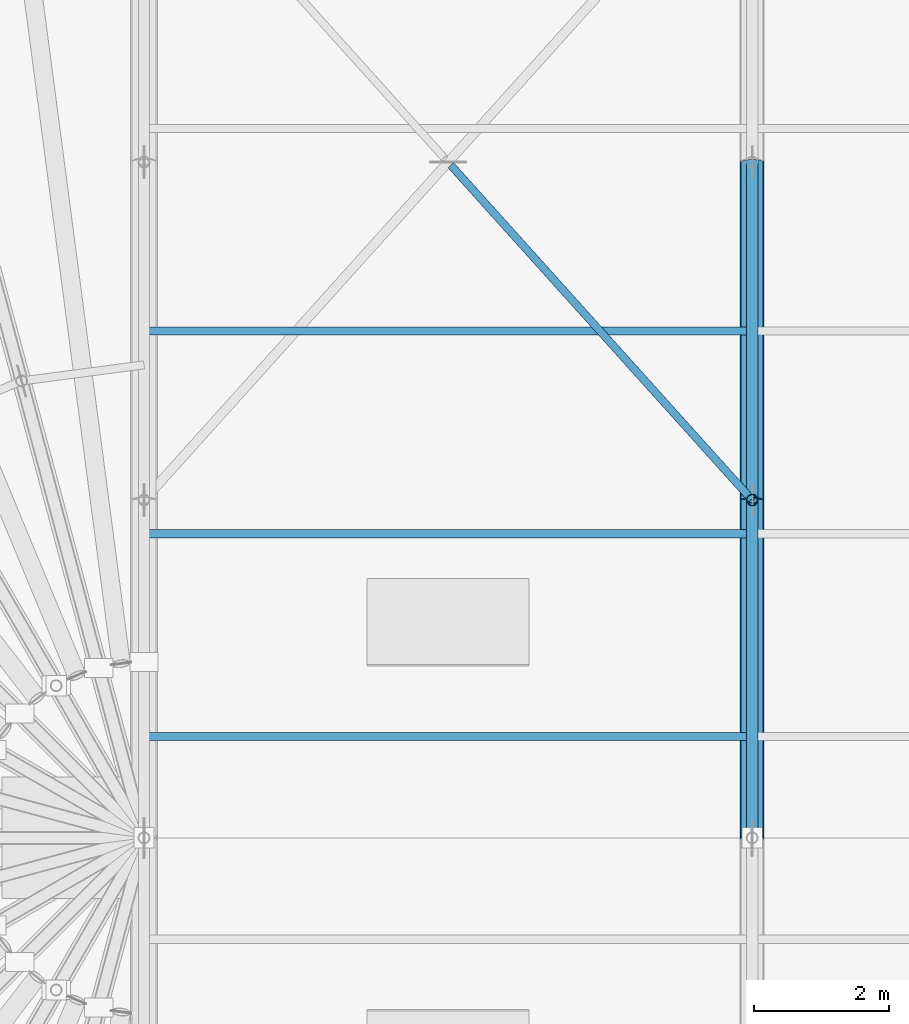
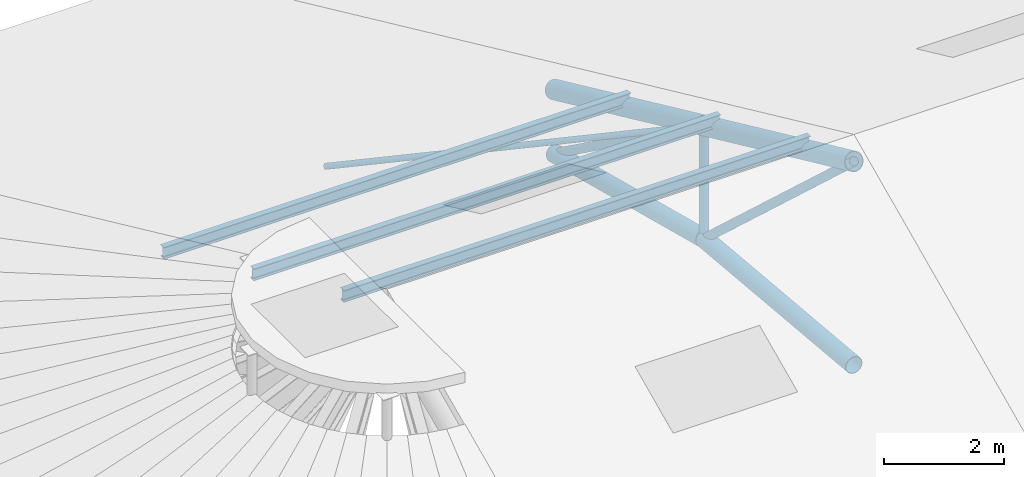
# One storey, part 10 of 107: 11 members.
"""IFC4 building model written with IfcOpenShell, lengths in metres."""

import ifcopenshell
import ifcopenshell.guid

model = None  # the IFC model being written
_history = None  # IfcOwnerHistory: only IFC2X3 demands one
_inside = {}  # id of a spatial element -> (the spatial element, [elements in it])
_under = {}  # id of a project, library or spatial element -> (it, [spatial elements below it])
_declared = {}  # id of a project -> (the project, [libraries it declares])
_typed = {}  # id of a type object -> (the type object, [elements of that type])
_made_of = {}  # id of a material, layer set ... -> (it, [elements and type objects made of it])


def new_model(schema):
    """Start an empty IFC model of exactly this schema.

    Asked for "IFC4X3", IfcOpenShell would pick the latest addendum, in which some entities
    have other attributes; the version numbers below select the first issue.
    IFC2X3 requires an IfcOwnerHistory on every rooted entity: one is made here for all.
    """
    global model, _history
    if schema == "IFC4X3":
        model = ifcopenshell.file(schema_version=(4, 3, 0, 0))
    else:
        model = ifcopenshell.file(schema=schema)
    _inside.clear()
    _under.clear()
    _declared.clear()
    _typed.clear()
    _made_of.clear()
    _history = None
    if model.schema == "IFC2X3":
        org = make("IfcOrganization", Name="unknown")
        user = make(
            "IfcPersonAndOrganization",
            ThePerson=make("IfcPerson", FamilyName="unknown"),
            TheOrganization=org,
        )
        app = make(
            "IfcApplication",
            ApplicationDeveloper=org,
            Version="unknown",
            ApplicationFullName="unknown",
            ApplicationIdentifier="unknown",
        )
        _history = make(
            "IfcOwnerHistory",
            OwningUser=user,
            OwningApplication=app,
            ChangeAction="ADDED",
            CreationDate=0,
        )
    return model


def make(cls, **values):
    """One entity of the class cls with the attributes given. An attribute that is None is left unset."""
    return model.create_entity(
        cls, **{name: value for name, value in values.items() if value is not None}
    )


def rooted(cls, **values):
    """An entity with a GlobalId (a new one), such as an element, a storey or a relation."""
    return make(cls, GlobalId=ifcopenshell.guid.new(), OwnerHistory=_history, **values)


def si_unit(unit_type, name, prefix=None):
    """IfcSIUnit, for example si_unit("LENGTHUNIT", "METRE", prefix="MILLI")."""
    return make("IfcSIUnit", UnitType=unit_type, Prefix=prefix, Name=name)


def derived_unit(unit_type, elements):
    """IfcDerivedUnit: a product of units, each with its exponent."""
    return make(
        "IfcDerivedUnit",
        Elements=[
            make("IfcDerivedUnitElement", Unit=unit, Exponent=power)
            for unit, power in elements
        ],
        UnitType=unit_type,
    )


def assignment(units):
    """IfcUnitAssignment: the units of a project."""
    return None if units is None else make("IfcUnitAssignment", Units=units)


def point(xyz):
    """IfcCartesianPoint."""
    return None if xyz is None else make("IfcCartesianPoint", Coordinates=xyz)


def direction(xyz):
    """IfcDirection."""
    return None if xyz is None else make("IfcDirection", DirectionRatios=xyz)


def frame(location, z_axis=None, x_axis=None):
    """IfcAxis2Placement3D, a coordinate frame: its origin and axes. An axis left out is left unset."""
    return make(
        "IfcAxis2Placement3D",
        Location=point(location),
        Axis=direction(z_axis),
        RefDirection=direction(x_axis),
    )


def frame_2d(location, x_axis=None):
    """IfcAxis2Placement2D, a coordinate frame in the plane: its origin and x axis."""
    return make(
        "IfcAxis2Placement2D", Location=point(location), RefDirection=direction(x_axis)
    )


def origin():
    """The frame at (0, 0, 0) with its axes left unset."""
    return frame((0.0, 0.0, 0.0))


def origin_2d():
    """The frame at (0, 0) in the plane with its x axis left unset."""
    return frame_2d((0.0, 0.0))


def place(relative_to, where):
    """IfcLocalPlacement: puts the frame where relative to a parent placement (None: the world)."""
    return make(
        "IfcLocalPlacement", PlacementRelTo=relative_to, RelativePlacement=where
    )


def context(
    kind, dimensions, precision=None, world=None, true_north=None, identifier=None
):
    """IfcGeometricRepresentationContext, for example the 3D "Model" context."""
    return make(
        "IfcGeometricRepresentationContext",
        ContextIdentifier=identifier,
        ContextType=kind,
        CoordinateSpaceDimension=dimensions,
        Precision=precision,
        WorldCoordinateSystem=world,
        TrueNorth=true_north,
    )


def subcontext(parent, identifier, kind, view, scale=None):
    """IfcGeometricRepresentationSubContext, for example "Body" below "Model"."""
    return make(
        "IfcGeometricRepresentationSubContext",
        ContextIdentifier=identifier,
        ContextType=kind,
        ParentContext=parent,
        TargetScale=scale,
        TargetView=view,
    )


def project(units=None, contexts=None):
    """IfcProject with its units and contexts."""
    return rooted(
        "IfcProject",
        Name="project",
        RepresentationContexts=contexts,
        UnitsInContext=assignment(units),
    )


def spatial(cls, under=None, at=None, **own):
    """A site, building, storey or space (cls), placed at a placement, below another one or the project."""
    s = rooted(cls, ObjectPlacement=at, **own)
    if under is not None:
        _under.setdefault(under.id(), (under, []))[1].append(s)
    return s


def profile(cls, at=None, kind="AREA", **sizes):
    """A parametric profile (cls). Its sizes go by their IFC names, for example OverallWidth=200.0."""
    return make(cls, ProfileType=kind, Position=at, **sizes)


def hollow_circle(**sizes):
    """IfcCircleHollowProfileDef."""
    return profile("IfcCircleHollowProfileDef", **sizes)


def i_section(**sizes):
    """IfcIShapeProfileDef."""
    return profile("IfcIShapeProfileDef", **sizes)


def extrude(swept, where, along, depth):
    """IfcExtrudedAreaSolid: the profile swept, set in the frame where, extruded along a direction by depth."""
    return make(
        "IfcExtrudedAreaSolid",
        SweptArea=swept,
        Position=where,
        ExtrudedDirection=direction(along),
        Depth=depth,
    )


def shape(context_of_items, identifier, shape_type, items):
    """IfcShapeRepresentation: the items that make up one representation, for example the "Body"."""
    return make(
        "IfcShapeRepresentation",
        ContextOfItems=context_of_items,
        RepresentationIdentifier=identifier,
        RepresentationType=shape_type,
        Items=items,
    )


def material(Name=None, Category=None):
    """IfcMaterial."""
    return make("IfcMaterial", Name=Name, Category=Category)


def material_profile(
    of_material, cross_section, Name=None, Category=None, Priority=None
):
    """IfcMaterialProfile: a cross section and its material."""
    return make(
        "IfcMaterialProfile",
        Name=Name,
        Material=of_material,
        Profile=cross_section,
        Priority=Priority,
        Category=Category,
    )


def profile_set(profiles, Name=None, composite=None):
    """IfcMaterialProfileSet."""
    return make(
        "IfcMaterialProfileSet",
        Name=Name,
        MaterialProfiles=profiles,
        CompositeProfile=composite,
    )


def made_of(thing, what):
    """Note that an element or type object is made of a material, layer set ...; save() writes the relation."""
    if what is not None:
        _made_of.setdefault(what.id(), (what, []))[1].append(thing)
    return thing


def type_object(cls, material=None, **own):
    """A type object (cls), such as IfcWallType, which elements share."""
    return made_of(rooted(cls, **own), material)


def element(
    cls,
    number,
    at=None,
    inside=None,
    cuts=None,
    type_object=None,
    material=None,
    context=None,
    identifier="Body",
    shape_type=None,
    held_by="IfcProductDefinitionShape",
    body=None,
    shapes=None,
    **own,
):
    """One element of the class cls, such as IfcWall. Its Tag is "e" and its number.

    at: its placement. inside: the storey or other place that contains it. cuts: it is an
    opening in that element (IfcRelVoidsElement). A single representation is given by context,
    identifier, shape_type and body (its items); several are given by shapes. held_by: the class
    of the entity that holds the representations. save() writes the other relations.
    """
    e = rooted(cls, Tag="e%d" % number, ObjectPlacement=at, **own)
    if body is not None:
        shapes = [shape(context, identifier, shape_type, body)]
    if shapes is not None:
        e.Representation = make(held_by, Representations=shapes)
    if inside is not None:
        _inside.setdefault(inside.id(), (inside, []))[1].append(e)
    if cuts is not None:
        rooted(
            "IfcRelVoidsElement", RelatingBuildingElement=cuts, RelatedOpeningElement=e
        )
    if type_object is not None:
        _typed.setdefault(type_object.id(), (type_object, []))[1].append(e)
    return made_of(e, material)


def aggregate(whole, parts):
    """IfcRelAggregates: a whole, such as a stair, and the parts it consists of."""
    return rooted("IfcRelAggregates", RelatingObject=whole, RelatedObjects=parts)


def save(model, path):
    """Write the relations noted so far, then the file.

    IfcRelAggregates (storeys below a building ...), IfcRelContainedInSpatialStructure (elements
    in a storey), IfcRelDefinesByType, IfcRelAssociatesMaterial and IfcRelDeclares: one each for
    every whole, place, type object, material and project.
    """
    for whole, parts in _under.values():
        aggregate(whole, parts)
    for where, things in _inside.values():
        rooted(
            "IfcRelContainedInSpatialStructure",
            RelatedElements=things,
            RelatingStructure=where,
        )
    for kind, things in _typed.values():
        rooted("IfcRelDefinesByType", RelatedObjects=things, RelatingType=kind)
    for what, things in _made_of.values():
        rooted("IfcRelAssociatesMaterial", RelatedObjects=things, RelatingMaterial=what)
    for by, libraries in _declared.values():
        rooted("IfcRelDeclares", RelatingContext=by, RelatedDefinitions=libraries)
    model.write(path)


model = new_model("IFC4")

# Units and contexts
model_context = context("Model", 3, precision=1e-05, world=origin(), true_north=direction((0.0, 1.0)))
body_context = subcontext(model_context, "Body", "Model", "MODEL_VIEW")
ifc_project = project(units=[si_unit("LENGTHUNIT", "METRE"), si_unit("AREAUNIT", "SQUARE_METRE"), si_unit("VOLUMEUNIT", "CUBIC_METRE"), si_unit("PLANEANGLEUNIT", "RADIAN"), si_unit("MASSUNIT", "GRAM", prefix="KILO"), si_unit("THERMODYNAMICTEMPERATUREUNIT", "KELVIN"), si_unit("TIMEUNIT", "SECOND"), derived_unit("THERMALTRANSMITTANCEUNIT", [(si_unit("MASSUNIT", "GRAM", prefix="KILO"), 1), (si_unit("THERMODYNAMICTEMPERATUREUNIT", "KELVIN"), -1), (si_unit("TIMEUNIT", "SECOND"), -3)])], contexts=[model_context])

# Site, building, storey
site_placement = place(None, origin())
site = spatial("IfcSite", under=ifc_project, at=site_placement, CompositionType="ELEMENT")
building_placement = place(site_placement, origin())
building = spatial("IfcBuilding", under=site, at=building_placement, Name="Cambertide Market Hall", CompositionType="ELEMENT")
storey_placement = place(building_placement, frame((0.0, 0.0, 18.300048828125)))
storey = spatial("IfcBuildingStorey", under=building, at=storey_placement, Name="RF", CompositionType="ELEMENT", Elevation=18.300048828125)

# Members
ifc_material_1 = material(Name="Steel S355", Category="steel")
ifc_material_profile_1 = material_profile(ifc_material_1, hollow_circle(Radius=0.161865234375, WallThickness=0.010009765625, at=origin_2d()), Name="CHS 323.9x10")
ifc_profile_set_1 = profile_set([ifc_material_profile_1], Name="Steel S355")
member_type_1 = type_object("IfcMemberType", Name="Arched Truss Chord CHS 323.9x10", PredefinedType="CHORD", material=ifc_profile_set_1)
member_1_placement = place(storey_placement, frame((51.0, 72.0, -4.5), z_axis=(0.0, 0.9958792443, -0.090689198761), x_axis=(-1.0, 0.0, 0.0)))
element("IfcMember", 1, at=member_1_placement, inside=storey, type_object=member_type_1, Name="Roof Truss 2 Arched Bottom Chord 5", PredefinedType="CHORD", context=body_context, shape_type="SweptSolid", body=[
    extrude(hollow_circle(Radius=0.161865234375, WallThickness=0.010009765625, at=origin_2d()), origin(), (0.0, 0.0, 1.0), 5.020751953125),
])
member_2_placement = place(storey_placement, frame((51.0, 77.0, -4.955322265625), z_axis=(0.0, 0.968015607618, -0.250889982678), x_axis=(-1.0, 0.0, 0.0)))
element("IfcMember", 2, at=member_2_placement, inside=storey, type_object=member_type_1, Name="Roof Truss 2 Arched Bottom Chord 6", PredefinedType="CHORD", context=body_context, shape_type="SweptSolid", body=[
    extrude(hollow_circle(Radius=0.161865234375, WallThickness=0.010009765625, at=origin_2d()), origin(), (0.0, 0.0, 1.0), 5.165283203125),
])
ifc_material_2 = material(Name="Steel S355", Category="steel")
ifc_material_profile_2 = material_profile(ifc_material_2, hollow_circle(Radius=0.177734375, WallThickness=0.012451171875, at=origin_2d()), Name="CHS 355.6x12.5")
ifc_profile_set_2 = profile_set([ifc_material_profile_2], Name="Steel S355")
member_type_2 = type_object("IfcMemberType", Name="Arched Truss Chord CHS 355.6x12.5", PredefinedType="CHORD", material=ifc_profile_set_2)
for number, where, z_axis, x_axis, name in (
    (3, (51.0, 72.0, -0.35009765625), (0.0, 0.908487084298, -0.417912930721), (-1.0, 0.0, 0.0), "Roof Truss 2 Top Chord 5"),
    (4, (51.0, 77.0, -2.650146484375), (0.0, 0.908503925861, -0.417876317461), (-1.0, 0.0, 0.0), "Roof Truss 2 Top Chord 6"),
):
    element("IfcMember", number, at=place(storey_placement, frame(where, z_axis=z_axis, x_axis=x_axis)), inside=storey, type_object=member_type_2, Name=name, PredefinedType="CHORD", context=body_context, shape_type="SweptSolid", body=[
        extrude(hollow_circle(Radius=0.177734375, WallThickness=0.012451171875, at=origin_2d()), origin(), (0.0, 0.0, 1.0), 5.503662109375),
    ])
ifc_material_3 = material(Name="Steel S275", Category="steel")
ifc_material_profile_3 = material_profile(ifc_material_3, i_section(OverallWidth=0.1201171875, OverallDepth=0.239990234375, WebThickness=0.006103515625, FlangeThickness=0.009765625, FilletRadius=0.014892578125, at=origin_2d()), Name="IPE 240")
ifc_profile_set_3 = profile_set([ifc_material_profile_3], Name="Steel S275")
member_type_3 = type_object("IfcMemberType", Name="Roof Purlin IPE 240", PredefinedType="PURLIN", material=ifc_profile_set_3)
for number, where, z_axis, x_axis, name in (
    (5, (42.0, 73.5, -0.830078125), (1.0, 0.0, 0.0), (0.0, 1.0, 0.0), "Barrel Roof Purlin 1-09"),
    (6, (42.0, 76.5, -2.2099609375), (1.0, 0.0, 0.0), (0.0, 1.0, 0.0), "Barrel Roof Purlin 1-10"),
    (7, (42.0, 79.5, -3.590087890625), (1.0, 0.0, 0.0), (0.0, 1.0, 0.0), "Barrel Roof Purlin 1-11"),
):
    element("IfcMember", number, at=place(storey_placement, frame(where, z_axis=z_axis, x_axis=x_axis)), inside=storey, type_object=member_type_3, Name=name, PredefinedType="PURLIN", context=body_context, shape_type="SweptSolid", body=[
        extrude(i_section(OverallWidth=0.1201171875, OverallDepth=0.239990234375, WebThickness=0.006103515625, FlangeThickness=0.009765625, FilletRadius=0.014892578125, at=origin_2d()), origin(), (0.0, 0.0, 1.0), 9.0),
    ])
ifc_material_4 = material(Name="Steel S275", Category="steel")
ifc_material_profile_4 = material_profile(ifc_material_4, hollow_circle(Radius=0.05712890625, WallThickness=0.0048828125, at=origin_2d()), Name="CHS 114.3x5")
ifc_profile_set_4 = profile_set([ifc_material_profile_4], Name="Steel S275")
member_type_4 = type_object("IfcMemberType", Name="Structural Brace CHS 114.3x5", PredefinedType="BRACE", material=ifc_profile_set_4)
member_3_placement = place(storey_placement, frame((51.0, 77.0, -2.650146484375), z_axis=(-0.632999690254, 0.703313698634, -0.323513884481), x_axis=(-0.743285022771, -0.66897486868, 0.0)))
element("IfcMember", 8, at=member_3_placement, inside=storey, type_object=member_type_4, Name="Roof Wind X-Brace Split Segment 1-N2A", PredefinedType="BRACE", context=body_context, shape_type="SweptSolid", body=[
    extrude(hollow_circle(Radius=0.05712890625, WallThickness=0.0048828125, at=origin_2d()), origin(), (0.0, 0.0, 1.0), 7.031005859375),
])
ifc_material_5 = material(Name="Steel S355", Category="steel")
ifc_material_profile_5 = material_profile(ifc_material_5, hollow_circle(Radius=0.084228515625, WallThickness=0.00634765625, at=origin_2d()), Name="CHS 168.3x6.3")
ifc_profile_set_5 = profile_set([ifc_material_profile_5], Name="Steel S355")
member_type_5 = type_object("IfcMemberType", Name="Structural Brace CHS 168.3x6.3", PredefinedType="BRACE", material=ifc_profile_set_5)
member_4_placement = place(storey_placement, frame((51.0, 72.0, -0.35009765625), z_axis=(0.0, 0.73554793102, -0.677472686662), x_axis=(-1.0, 0.0, 0.0)))
element("IfcMember", 9, at=member_4_placement, inside=storey, type_object=member_type_5, Name="Roof Truss 2 Web Diagonal 5", PredefinedType="BRACE", context=body_context, shape_type="SweptSolid", body=[
    extrude(hollow_circle(Radius=0.084228515625, WallThickness=0.00634765625, at=origin_2d()), origin(), (0.0, 0.0, 1.0), 6.797607421875),
])
member_5_placement = place(storey_placement, frame((51.0, 77.0, -2.650146484375), z_axis=(0.0, 0.811451666424, -0.584419535144), x_axis=(-1.0, 0.0, 0.0)))
element("IfcMember", 10, at=member_5_placement, inside=storey, type_object=member_type_5, Name="Roof Truss 2 Web Diagonal 6", PredefinedType="BRACE", context=body_context, shape_type="SweptSolid", body=[
    extrude(hollow_circle(Radius=0.084228515625, WallThickness=0.00634765625, at=origin_2d()), origin(), (0.0, 0.0, 1.0), 6.161865234375),
])
member_6_placement = place(storey_placement, frame((51.0, 77.0, -4.955322265625), z_axis=(0.0, 0.0, 1.0), x_axis=(1.0, 0.0, 0.0)))
element("IfcMember", 11, at=member_6_placement, inside=storey, type_object=member_type_5, Name="Roof Truss 2 Web Post 6", PredefinedType="BRACE", context=body_context, shape_type="SweptSolid", body=[
    extrude(hollow_circle(Radius=0.084228515625, WallThickness=0.00634765625, at=origin_2d()), origin(), (0.0, 0.0, 1.0), 2.30517578125),
])

save(model, "model.ifc")
